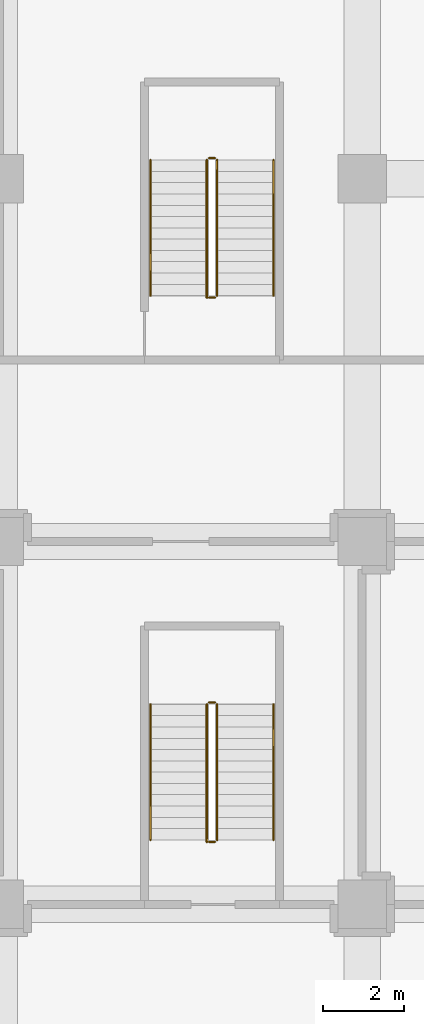
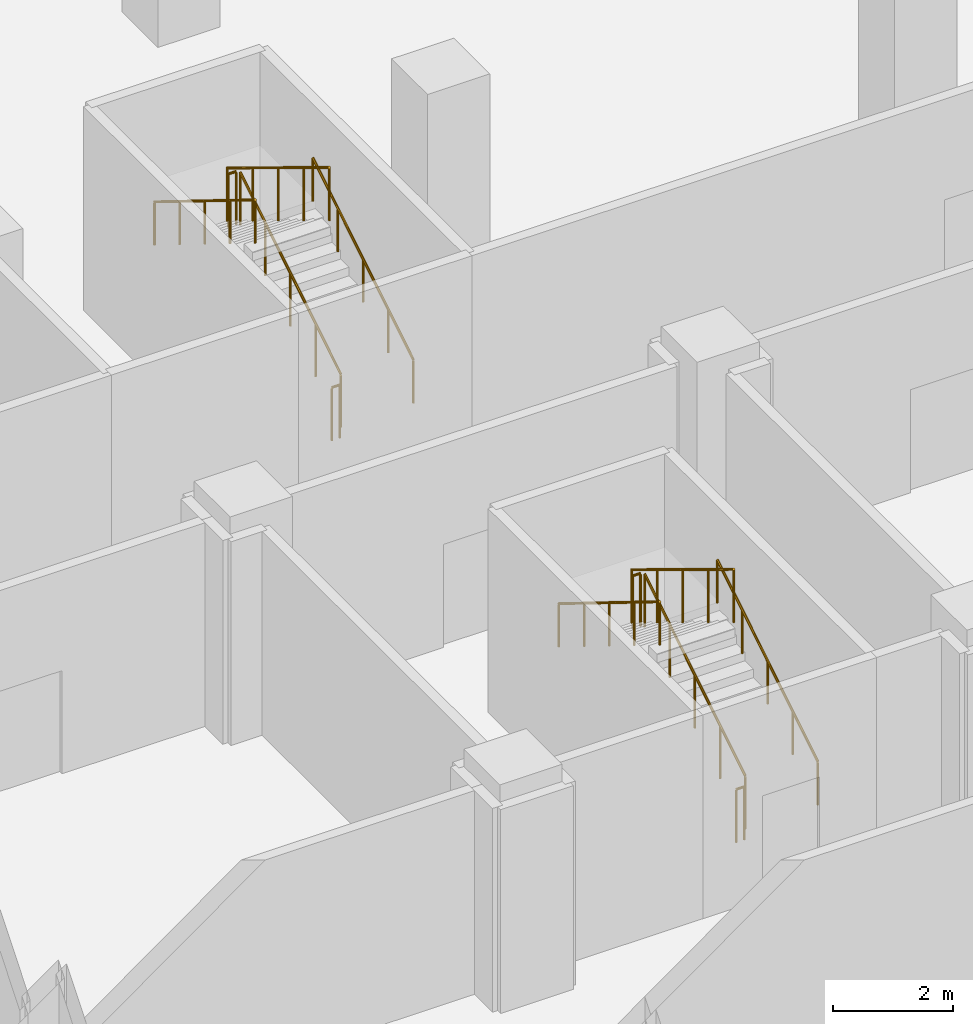
# One storey, part 41 of 43: 12 railings.
"""IFC4 building model written with IfcOpenShell, lengths in metres."""

from ifc_helpers import new_model, si_unit, direction, frame, origin, origin_2d, place, context, subcontext, project, spatial, circle, extrude, material, type_object, element, save


model = new_model("IFC4")

# Units and contexts
model_context = context("Model", 3, precision=1e-05, world=origin(), true_north=direction((0.0, 1.0)))
body_context = subcontext(model_context, "Body", "Model", "MODEL_VIEW")
ifc_project = project(units=[si_unit("LENGTHUNIT", "METRE"), si_unit("AREAUNIT", "SQUARE_METRE"), si_unit("VOLUMEUNIT", "CUBIC_METRE"), si_unit("PLANEANGLEUNIT", "RADIAN"), si_unit("MASSUNIT", "GRAM", prefix="KILO")], contexts=[model_context])

# Site, building, storey
site_placement = place(None, origin())
site = spatial("IfcSite", under=ifc_project, at=site_placement, CompositionType="ELEMENT")
building_placement = place(site_placement, origin())
building = spatial("IfcBuilding", under=site, at=building_placement, Name="Plateau Cross Towers", CompositionType="ELEMENT")
storey_placement = place(building_placement, frame((0.0, 0.0, 17.300048828125)))
storey = spatial("IfcBuildingStorey", under=building, at=storey_placement, Name="L03", CompositionType="ELEMENT", Elevation=17.300048828125)

# Railings
ifc_material_1 = material(Name="Stainless steel and toughened glass", Category="steel")
railing_type_1 = type_object("IfcRailingType", Name="RL-GUARD-1100", PredefinedType="GUARDRAIL", material=ifc_material_1)
railing_1_placement = place(storey_placement, frame((32.39990234375, 28.60009765625, 0.173095703125)))
element("IfcRailing", 1, at=railing_1_placement, inside=storey, type_object=railing_type_1, Name="L03 PS1 stair guard 1", PredefinedType="GUARDRAIL", context=body_context, shape_type="SweptSolid", body=[
    extrude(circle(Radius=0.02392578125, at=origin_2d()), frame((0.0, 0.0, 1.076171875), z_axis=(0.0, 0.850606129759, 0.525803396734), x_axis=(-1.0, 0.0, 0.0)), (0.0, 0.0, 1.0), 3.949951171875),
    extrude(circle(Radius=0.02099609375, at=origin_2d()), origin(), (0.0, 0.0, 1.0), 1.052001953125),
    extrude(circle(Radius=0.02099609375, at=origin_2d()), frame((0.0, 0.83984375, 0.519287109375)), (0.0, 0.0, 1.0), 1.052001953125),
    extrude(circle(Radius=0.02099609375, at=origin_2d()), frame((0.0, 1.679931640625, 1.03857421875)), (0.0, 0.0, 1.0), 1.052001953125),
    extrude(circle(Radius=0.02099609375, at=origin_2d()), frame((0.0, 2.52001953125, 1.5576171875)), (0.0, 0.0, 1.0), 1.052001953125),
    extrude(circle(Radius=0.02099609375, at=origin_2d()), frame((0.0, 3.35986328125, 2.076904296875)), (0.0, 0.0, 1.0), 1.052001953125),
])
railing_2_placement = place(storey_placement, frame((32.35009765625, 32.010009765625, 2.25)))
element("IfcRailing", 2, at=railing_2_placement, inside=storey, type_object=railing_type_1, Name="L03 PS1 stair guard 2", PredefinedType="GUARDRAIL", context=body_context, shape_type="SweptSolid", body=[
    extrude(circle(Radius=0.02392578125, at=origin_2d()), frame((0.0, 0.0, 1.076171875), z_axis=(-1.0, 0.0, 0.0), x_axis=(0.0, -1.0, 0.0)), (0.0, 0.0, 1.0), 0.150146484375),
    extrude(circle(Radius=0.02099609375, at=origin_2d()), origin(), (0.0, 0.0, 1.0), 1.052001953125),
    extrude(circle(Radius=0.02099609375, at=origin_2d()), frame((-0.150146484375, 0.0, 0.0)), (0.0, 0.0, 1.0), 1.052001953125),
])
railing_3_placement = place(storey_placement, frame((32.14990234375, 31.9599609375, 2.423095703125)))
element("IfcRailing", 3, at=railing_3_placement, inside=storey, type_object=railing_type_1, Name="L03 PS1 stair guard 3", PredefinedType="GUARDRAIL", context=body_context, shape_type="SweptSolid", body=[
    extrude(circle(Radius=0.02392578125, at=origin_2d()), frame((0.0, 0.0, 1.076171875), z_axis=(0.0, -0.854053285388, 0.520185530092), x_axis=(1.0, 0.0, 0.0)), (0.0, 0.0, 1.0), 3.99267578125),
    extrude(circle(Radius=0.02099609375, at=origin_2d()), origin(), (0.0, 0.0, 1.0), 1.052001953125),
    extrude(circle(Radius=0.02099609375, at=origin_2d()), frame((0.0, -0.8525390625, 0.519287109375)), (0.0, 0.0, 1.0), 1.052001953125),
    extrude(circle(Radius=0.02099609375, at=origin_2d()), frame((0.0, -1.705078125, 1.03857421875)), (0.0, 0.0, 1.0), 1.052001953125),
    extrude(circle(Radius=0.02099609375, at=origin_2d()), frame((0.0, -2.557373046875, 1.5576171875)), (0.0, 0.0, 1.0), 1.052001953125),
    extrude(circle(Radius=0.02099609375, at=origin_2d()), frame((0.0, -3.409912109375, 2.076904296875)), (0.0, 0.0, 1.0), 1.052001953125),
])
railing_4_placement = place(storey_placement, frame((32.35009765625, 28.550048828125, 0.0)))
element("IfcRailing", 4, at=railing_4_placement, inside=storey, type_object=railing_type_1, Name="L03 PS1 stair guard 4", PredefinedType="GUARDRAIL", context=body_context, shape_type="SweptSolid", body=[
    extrude(circle(Radius=0.02392578125, at=origin_2d()), frame((0.0, 0.0, 1.076171875), z_axis=(-1.0, 0.0, 0.0), x_axis=(0.0, -1.0, 0.0)), (0.0, 0.0, 1.0), 0.150146484375),
    extrude(circle(Radius=0.02099609375, at=origin_2d()), origin(), (0.0, 0.0, 1.0), 1.052001953125),
    extrude(circle(Radius=0.02099609375, at=origin_2d()), frame((-0.150146484375, 0.0, 0.0)), (0.0, 0.0, 1.0), 1.052001953125),
])
railing_5_placement = place(storey_placement, frame((32.39990234375, 42.10009765625, 0.173095703125)))
element("IfcRailing", 5, at=railing_5_placement, inside=storey, type_object=railing_type_1, Name="L03 PS2 stair guard 1", PredefinedType="GUARDRAIL", context=body_context, shape_type="SweptSolid", body=[
    extrude(circle(Radius=0.02392578125, at=origin_2d()), frame((0.0, 0.0, 1.076171875), z_axis=(0.0, 0.850606129759, 0.525803396734), x_axis=(-1.0, 0.0, 0.0)), (0.0, 0.0, 1.0), 3.949951171875),
    extrude(circle(Radius=0.02099609375, at=origin_2d()), origin(), (0.0, 0.0, 1.0), 1.052001953125),
    extrude(circle(Radius=0.02099609375, at=origin_2d()), frame((0.0, 0.83984375, 0.519287109375)), (0.0, 0.0, 1.0), 1.052001953125),
    extrude(circle(Radius=0.02099609375, at=origin_2d()), frame((0.0, 1.679931640625, 1.03857421875)), (0.0, 0.0, 1.0), 1.052001953125),
    extrude(circle(Radius=0.02099609375, at=origin_2d()), frame((0.0, 2.52001953125, 1.5576171875)), (0.0, 0.0, 1.0), 1.052001953125),
    extrude(circle(Radius=0.02099609375, at=origin_2d()), frame((0.0, 3.35986328125, 2.076904296875)), (0.0, 0.0, 1.0), 1.052001953125),
])
railing_6_placement = place(storey_placement, frame((32.35009765625, 45.510009765625, 2.25)))
element("IfcRailing", 6, at=railing_6_placement, inside=storey, type_object=railing_type_1, Name="L03 PS2 stair guard 2", PredefinedType="GUARDRAIL", context=body_context, shape_type="SweptSolid", body=[
    extrude(circle(Radius=0.02392578125, at=origin_2d()), frame((0.0, 0.0, 1.076171875), z_axis=(-1.0, 0.0, 0.0), x_axis=(0.0, -1.0, 0.0)), (0.0, 0.0, 1.0), 0.150146484375),
    extrude(circle(Radius=0.02099609375, at=origin_2d()), origin(), (0.0, 0.0, 1.0), 1.052001953125),
    extrude(circle(Radius=0.02099609375, at=origin_2d()), frame((-0.150146484375, 0.0, 0.0)), (0.0, 0.0, 1.0), 1.052001953125),
])
railing_7_placement = place(storey_placement, frame((32.14990234375, 45.4599609375, 2.423095703125)))
element("IfcRailing", 7, at=railing_7_placement, inside=storey, type_object=railing_type_1, Name="L03 PS2 stair guard 3", PredefinedType="GUARDRAIL", context=body_context, shape_type="SweptSolid", body=[
    extrude(circle(Radius=0.02392578125, at=origin_2d()), frame((0.0, 0.0, 1.076171875), z_axis=(0.0, -0.854053285388, 0.520185530092), x_axis=(1.0, 0.0, 0.0)), (0.0, 0.0, 1.0), 3.99267578125),
    extrude(circle(Radius=0.02099609375, at=origin_2d()), origin(), (0.0, 0.0, 1.0), 1.052001953125),
    extrude(circle(Radius=0.02099609375, at=origin_2d()), frame((0.0, -0.8525390625, 0.519287109375)), (0.0, 0.0, 1.0), 1.052001953125),
    extrude(circle(Radius=0.02099609375, at=origin_2d()), frame((0.0, -1.705078125, 1.03857421875)), (0.0, 0.0, 1.0), 1.052001953125),
    extrude(circle(Radius=0.02099609375, at=origin_2d()), frame((0.0, -2.557373046875, 1.5576171875)), (0.0, 0.0, 1.0), 1.052001953125),
    extrude(circle(Radius=0.02099609375, at=origin_2d()), frame((0.0, -3.409912109375, 2.076904296875)), (0.0, 0.0, 1.0), 1.052001953125),
])
railing_8_placement = place(storey_placement, frame((32.35009765625, 42.050048828125, 0.0)))
element("IfcRailing", 8, at=railing_8_placement, inside=storey, type_object=railing_type_1, Name="L03 PS2 stair guard 4", PredefinedType="GUARDRAIL", context=body_context, shape_type="SweptSolid", body=[
    extrude(circle(Radius=0.02392578125, at=origin_2d()), frame((0.0, 0.0, 1.076171875), z_axis=(-1.0, 0.0, 0.0), x_axis=(0.0, -1.0, 0.0)), (0.0, 0.0, 1.0), 0.150146484375),
    extrude(circle(Radius=0.02099609375, at=origin_2d()), origin(), (0.0, 0.0, 1.0), 1.052001953125),
    extrude(circle(Radius=0.02099609375, at=origin_2d()), frame((-0.150146484375, 0.0, 0.0)), (0.0, 0.0, 1.0), 1.052001953125),
])
ifc_material_2 = material(Name="Black anodised aluminium", Category="aluminium")
railing_type_2 = type_object("IfcRailingType", Name="RL-HANDRAIL-900", PredefinedType="HANDRAIL", material=ifc_material_2)
railing_9_placement = place(storey_placement, frame((33.800048828125, 28.60009765625, 0.173095703125)))
element("IfcRailing", 9, at=railing_9_placement, inside=storey, type_object=railing_type_2, Name="L03 PS1 stair handrail 1", PredefinedType="HANDRAIL", context=body_context, shape_type="SweptSolid", body=[
    extrude(circle(Radius=0.02392578125, at=origin_2d()), frame((0.0, 0.0, 0.8759765625), z_axis=(0.0, 0.850606129759, 0.525803396734), x_axis=(-1.0, 0.0, 0.0)), (0.0, 0.0, 1.0), 3.949951171875),
    extrude(circle(Radius=0.02099609375, at=origin_2d()), origin(), (0.0, 0.0, 1.0), 0.851806640625),
    extrude(circle(Radius=0.02099609375, at=origin_2d()), frame((0.0, 0.83984375, 0.519287109375)), (0.0, 0.0, 1.0), 0.851806640625),
    extrude(circle(Radius=0.02099609375, at=origin_2d()), frame((0.0, 1.679931640625, 1.03857421875)), (0.0, 0.0, 1.0), 0.851806640625),
    extrude(circle(Radius=0.02099609375, at=origin_2d()), frame((0.0, 2.52001953125, 1.5576171875)), (0.0, 0.0, 1.0), 0.851806640625),
    extrude(circle(Radius=0.02099609375, at=origin_2d()), frame((0.0, 3.35986328125, 2.076904296875)), (0.0, 0.0, 1.0), 0.851806640625),
])
railing_10_placement = place(storey_placement, frame((30.75, 31.9599609375, 2.423095703125)))
element("IfcRailing", 10, at=railing_10_placement, inside=storey, type_object=railing_type_2, Name="L03 PS1 stair handrail 2", PredefinedType="HANDRAIL", context=body_context, shape_type="SweptSolid", body=[
    extrude(circle(Radius=0.02392578125, at=origin_2d()), frame((0.0, 0.0, 0.8759765625), z_axis=(0.0, -0.850606129759, 0.525803396734), x_axis=(1.0, 0.0, 0.0)), (0.0, 0.0, 1.0), 3.949951171875),
    extrude(circle(Radius=0.02099609375, at=origin_2d()), origin(), (0.0, 0.0, 1.0), 0.851806640625),
    extrude(circle(Radius=0.02099609375, at=origin_2d()), frame((0.0, -0.83984375, 0.519287109375)), (0.0, 0.0, 1.0), 0.851806640625),
    extrude(circle(Radius=0.02099609375, at=origin_2d()), frame((0.0, -1.679931640625, 1.03857421875)), (0.0, 0.0, 1.0), 0.851806640625),
    extrude(circle(Radius=0.02099609375, at=origin_2d()), frame((0.0, -2.52001953125, 1.5576171875)), (0.0, 0.0, 1.0), 0.851806640625),
    extrude(circle(Radius=0.02099609375, at=origin_2d()), frame((0.0, -3.35986328125, 2.076904296875)), (0.0, 0.0, 1.0), 0.851806640625),
])
railing_11_placement = place(storey_placement, frame((33.800048828125, 42.10009765625, 0.173095703125)))
element("IfcRailing", 11, at=railing_11_placement, inside=storey, type_object=railing_type_2, Name="L03 PS2 stair handrail 1", PredefinedType="HANDRAIL", context=body_context, shape_type="SweptSolid", body=[
    extrude(circle(Radius=0.02392578125, at=origin_2d()), frame((0.0, 0.0, 0.8759765625), z_axis=(0.0, 0.850606129759, 0.525803396734), x_axis=(-1.0, 0.0, 0.0)), (0.0, 0.0, 1.0), 3.949951171875),
    extrude(circle(Radius=0.02099609375, at=origin_2d()), origin(), (0.0, 0.0, 1.0), 0.851806640625),
    extrude(circle(Radius=0.02099609375, at=origin_2d()), frame((0.0, 0.83984375, 0.519287109375)), (0.0, 0.0, 1.0), 0.851806640625),
    extrude(circle(Radius=0.02099609375, at=origin_2d()), frame((0.0, 1.679931640625, 1.03857421875)), (0.0, 0.0, 1.0), 0.851806640625),
    extrude(circle(Radius=0.02099609375, at=origin_2d()), frame((0.0, 2.52001953125, 1.5576171875)), (0.0, 0.0, 1.0), 0.851806640625),
    extrude(circle(Radius=0.02099609375, at=origin_2d()), frame((0.0, 3.35986328125, 2.076904296875)), (0.0, 0.0, 1.0), 0.851806640625),
])
railing_12_placement = place(storey_placement, frame((30.75, 45.4599609375, 2.423095703125)))
element("IfcRailing", 12, at=railing_12_placement, inside=storey, type_object=railing_type_2, Name="L03 PS2 stair handrail 2", PredefinedType="HANDRAIL", context=body_context, shape_type="SweptSolid", body=[
    extrude(circle(Radius=0.02392578125, at=origin_2d()), frame((0.0, 0.0, 0.8759765625), z_axis=(0.0, -0.850606129759, 0.525803396734), x_axis=(1.0, 0.0, 0.0)), (0.0, 0.0, 1.0), 3.949951171875),
    extrude(circle(Radius=0.02099609375, at=origin_2d()), origin(), (0.0, 0.0, 1.0), 0.851806640625),
    extrude(circle(Radius=0.02099609375, at=origin_2d()), frame((0.0, -0.83984375, 0.519287109375)), (0.0, 0.0, 1.0), 0.851806640625),
    extrude(circle(Radius=0.02099609375, at=origin_2d()), frame((0.0, -1.679931640625, 1.03857421875)), (0.0, 0.0, 1.0), 0.851806640625),
    extrude(circle(Radius=0.02099609375, at=origin_2d()), frame((0.0, -2.52001953125, 1.5576171875)), (0.0, 0.0, 1.0), 0.851806640625),
    extrude(circle(Radius=0.02099609375, at=origin_2d()), frame((0.0, -3.35986328125, 2.076904296875)), (0.0, 0.0, 1.0), 0.851806640625),
])

save(model, "model.ifc")
